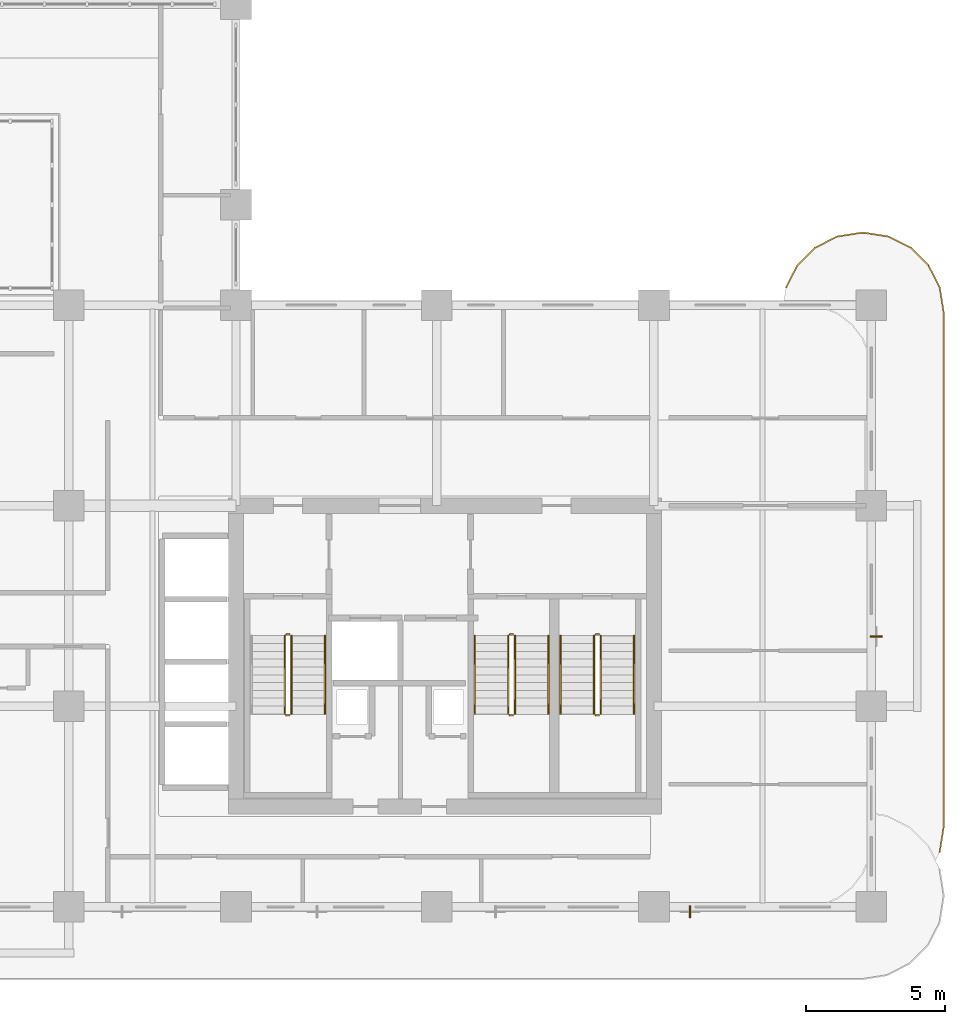
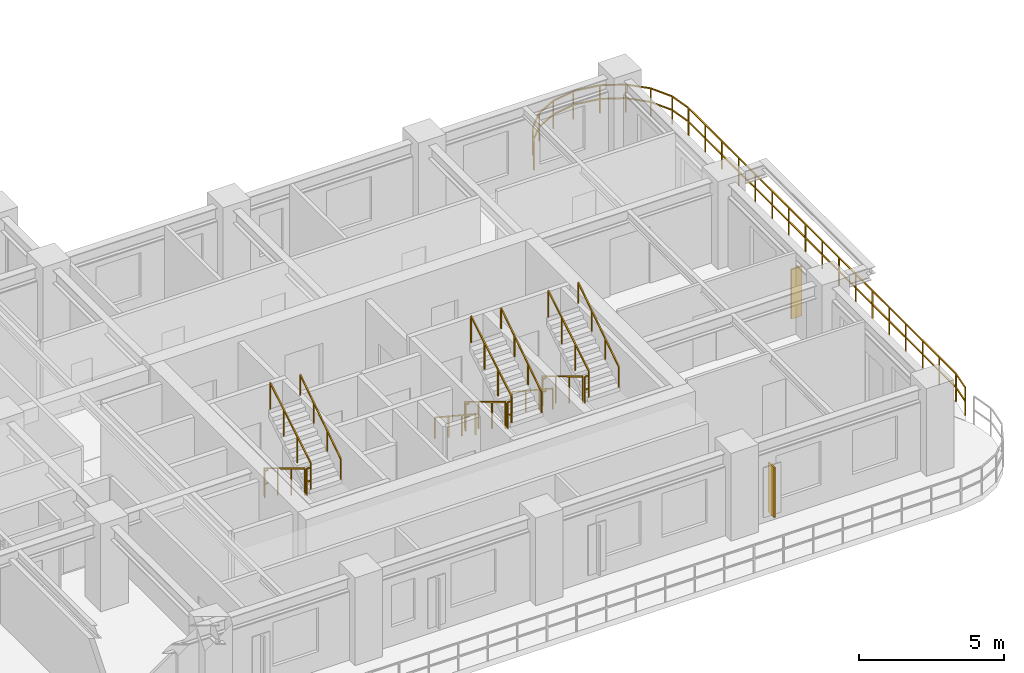
# One storey, part 21 of 22: 18 railings, 2 shading devices.
"""IFC4 building model written with IfcOpenShell, lengths in metres."""

from ifc_helpers import new_model, si_unit, derived_unit, direction, frame, origin, origin_2d, place, context, subcontext, project, spatial, rectangle, extrude, source, transform, mapped, material, layer, layer_set, type_object, type_shapes, element, save


model = new_model("IFC4")

# Units and contexts
model_context = context("Model", 3, precision=1e-05, world=origin(), true_north=direction((0.0, 1.0)))
body_context = subcontext(model_context, "Body", "Model", "MODEL_VIEW")
ifc_project = project(units=[si_unit("LENGTHUNIT", "METRE"), si_unit("AREAUNIT", "SQUARE_METRE"), si_unit("VOLUMEUNIT", "CUBIC_METRE"), si_unit("PLANEANGLEUNIT", "RADIAN"), si_unit("MASSUNIT", "GRAM", prefix="KILO"), si_unit("THERMODYNAMICTEMPERATUREUNIT", "KELVIN"), si_unit("POWERUNIT", "WATT"), derived_unit("THERMALTRANSMITTANCEUNIT", [(si_unit("POWERUNIT", "WATT"), 1), (si_unit("AREAUNIT", "SQUARE_METRE"), -1), (si_unit("THERMODYNAMICTEMPERATUREUNIT", "KELVIN"), -1)])], contexts=[model_context])

# Site, building, storey
site_placement = place(None, origin())
site = spatial("IfcSite", under=ifc_project, at=site_placement, CompositionType="ELEMENT")
building_placement = place(site_placement, origin())
building = spatial("IfcBuilding", under=site, at=building_placement, Name="Zahravan Archway Hotel and Residences", CompositionType="ELEMENT")
storey_placement = place(building_placement, frame((0.0, 0.0, 76.800048828125)))
storey = spatial("IfcBuildingStorey", under=building, at=storey_placement, Name="L18", CompositionType="ELEMENT", Elevation=76.800048828125)

# Railings
ifc_material_1 = material(Name="Bronze & Laminated Glass Balustrade", Category="glass")
railing_type_1 = type_object("IfcRailingType", Name="RL-BAL-1200", PredefinedType="BALUSTRADE", material=ifc_material_1)
railing_1_placement = place(storey_placement, frame((54.53955078125, 22.230712890625, 0.0)))
element("IfcRailing", 1, at=railing_1_placement, inside=storey, type_object=railing_type_1, Name="L18 Balustrade RL-SLB-BAL-L18-EA-1", PredefinedType="BALUSTRADE", context=body_context, shape_type="SweptSolid", body=[
    extrude(rectangle(XDim=0.048095703125, YDim=0.048095703125, at=origin_2d()), frame((0.0, 0.0, 1.17578125), z_axis=(0.453991409995, 0.891006060389, 0.0), x_axis=(-0.891006060389, 0.453991409995, 0.0)), (0.0, 0.0, 1.0), 0.8916015625),
    extrude(rectangle(XDim=0.048095703125, YDim=0.048095703125, at=origin_2d()), frame((0.0, 0.0, 0.60009765625), z_axis=(0.453991409995, 0.891006060389, 0.0), x_axis=(-0.891006060389, 0.453991409995, 0.0)), (0.0, 0.0, 1.0), 0.8916015625),
    extrude(rectangle(XDim=0.048095703125, YDim=0.048095703125, at=origin_2d()), frame((0.40478515625, 0.79443359375, 1.17578125), z_axis=(0.706969864397, 0.70724367147, 0.0), x_axis=(-0.70724367147, 0.706969864397, 0.0)), (0.0, 0.0, 1.0), 0.8916015625),
    extrude(rectangle(XDim=0.048095703125, YDim=0.048095703125, at=origin_2d()), frame((0.40478515625, 0.79443359375, 0.60009765625), z_axis=(0.706969864397, 0.70724367147, 0.0), x_axis=(-0.70724367147, 0.706969864397, 0.0)), (0.0, 0.0, 1.0), 0.8916015625),
    extrude(rectangle(XDim=0.048095703125, YDim=0.048095703125, at=origin_2d()), frame((1.03515625, 1.425048828125, 1.17578125), z_axis=(0.891062476022, 0.45388067135, 0.0), x_axis=(-0.45388067135, 0.891062476022, 0.0)), (0.0, 0.0, 1.0), 0.891845703125),
    extrude(rectangle(XDim=0.048095703125, YDim=0.048095703125, at=origin_2d()), frame((1.03515625, 1.425048828125, 0.60009765625), z_axis=(0.891062476022, 0.45388067135, 0.0), x_axis=(-0.45388067135, 0.891062476022, 0.0)), (0.0, 0.0, 1.0), 0.891845703125),
    extrude(rectangle(XDim=0.048095703125, YDim=0.048095703125, at=origin_2d()), frame((1.829833984375, 1.829833984375, 1.17578125), z_axis=(0.987700720307, 0.156356282588, 0.0), x_axis=(-0.156356282588, 0.987700720307, 0.0)), (0.0, 0.0, 1.0), 0.8916015625),
    extrude(rectangle(XDim=0.048095703125, YDim=0.048095703125, at=origin_2d()), frame((1.829833984375, 1.829833984375, 0.60009765625), z_axis=(0.987700720307, 0.156356282588, 0.0), x_axis=(-0.156356282588, 0.987700720307, 0.0)), (0.0, 0.0, 1.0), 0.8916015625),
    extrude(rectangle(XDim=0.048095703125, YDim=0.048095703125, at=origin_2d()), frame((2.71044921875, 1.96923828125, 1.17578125), z_axis=(1.0, 0.0, 0.0), x_axis=(0.0, 1.0, 0.0)), (0.0, 0.0, 1.0), 0.10009765625),
    extrude(rectangle(XDim=0.048095703125, YDim=0.048095703125, at=origin_2d()), frame((2.71044921875, 1.96923828125, 0.60009765625), z_axis=(1.0, 0.0, 0.0), x_axis=(0.0, 1.0, 0.0)), (0.0, 0.0, 1.0), 0.10009765625),
    extrude(rectangle(XDim=0.048095703125, YDim=0.048095703125, at=origin_2d()), frame((2.810546875, 1.96923828125, 1.17578125), z_axis=(0.987700720307, -0.156356282588, 0.0), x_axis=(0.156356282588, 0.987700720307, 0.0)), (0.0, 0.0, 1.0), 0.8916015625),
    extrude(rectangle(XDim=0.048095703125, YDim=0.048095703125, at=origin_2d()), frame((2.810546875, 1.96923828125, 0.60009765625), z_axis=(0.987700720307, -0.156356282588, 0.0), x_axis=(0.156356282588, 0.987700720307, 0.0)), (0.0, 0.0, 1.0), 0.8916015625),
    extrude(rectangle(XDim=0.048095703125, YDim=0.048095703125, at=origin_2d()), frame((3.691162109375, 1.829833984375, 1.17578125), z_axis=(0.891006060389, -0.453991409995, 0.0), x_axis=(0.453991409995, 0.891006060389, 0.0)), (0.0, 0.0, 1.0), 0.8916015625),
    extrude(rectangle(XDim=0.048095703125, YDim=0.048095703125, at=origin_2d()), frame((3.691162109375, 1.829833984375, 0.60009765625), z_axis=(0.891006060389, -0.453991409995, 0.0), x_axis=(0.453991409995, 0.891006060389, 0.0)), (0.0, 0.0, 1.0), 0.8916015625),
    extrude(rectangle(XDim=0.048095703125, YDim=0.048095703125, at=origin_2d()), frame((4.485595703125, 1.425048828125, 1.17578125), z_axis=(0.707106781187, -0.707106781187, 0.0), x_axis=(0.707106781187, 0.707106781187, 0.0)), (0.0, 0.0, 1.0), 0.891845703125),
    extrude(rectangle(XDim=0.048095703125, YDim=0.048095703125, at=origin_2d()), frame((4.485595703125, 1.425048828125, 0.60009765625), z_axis=(0.707106781187, -0.707106781187, 0.0), x_axis=(0.707106781187, 0.707106781187, 0.0)), (0.0, 0.0, 1.0), 0.891845703125),
    extrude(rectangle(XDim=0.048095703125, YDim=0.048095703125, at=origin_2d()), frame((5.1162109375, 0.79443359375, 1.17578125), z_axis=(0.453991409995, -0.891006060389, 0.0), x_axis=(0.891006060389, 0.453991409995, 0.0)), (0.0, 0.0, 1.0), 0.8916015625),
    extrude(rectangle(XDim=0.048095703125, YDim=0.048095703125, at=origin_2d()), frame((5.1162109375, 0.79443359375, 0.60009765625), z_axis=(0.453991409995, -0.891006060389, 0.0), x_axis=(0.891006060389, 0.453991409995, 0.0)), (0.0, 0.0, 1.0), 0.8916015625),
    extrude(rectangle(XDim=0.048095703125, YDim=0.048095703125, at=origin_2d()), frame((5.52099609375, 0.0, 1.17578125), z_axis=(0.156356282588, -0.987700720307, 0.0), x_axis=(0.987700720307, 0.156356282588, 0.0)), (0.0, 0.0, 1.0), 0.8916015625),
    extrude(rectangle(XDim=0.048095703125, YDim=0.048095703125, at=origin_2d()), frame((5.52099609375, 0.0, 0.60009765625), z_axis=(0.156356282588, -0.987700720307, 0.0), x_axis=(0.987700720307, 0.156356282588, 0.0)), (0.0, 0.0, 1.0), 0.8916015625),
    extrude(rectangle(XDim=0.048095703125, YDim=0.048095703125, at=origin_2d()), frame((5.660400390625, -0.880615234375, 1.17578125), z_axis=(0.0, -1.0, 0.0), x_axis=(1.0, 0.0, 0.0)), (0.0, 0.0, 1.0), 18.5),
    extrude(rectangle(XDim=0.048095703125, YDim=0.048095703125, at=origin_2d()), frame((5.660400390625, -0.880615234375, 0.60009765625), z_axis=(0.0, -1.0, 0.0), x_axis=(1.0, 0.0, 0.0)), (0.0, 0.0, 1.0), 18.5),
    extrude(rectangle(XDim=0.048095703125, YDim=0.048095703125, at=origin_2d()), frame((5.660400390625, -19.380615234375, 1.17578125), z_axis=(-0.156314005608, -0.987707411965, 0.0), x_axis=(0.987707411965, -0.156314005608, 0.0)), (0.0, 0.0, 1.0), 0.891845703125),
    extrude(rectangle(XDim=0.048095703125, YDim=0.048095703125, at=origin_2d()), frame((5.660400390625, -19.380615234375, 0.60009765625), z_axis=(-0.156314005608, -0.987707411965, 0.0), x_axis=(0.987707411965, -0.156314005608, 0.0)), (0.0, 0.0, 1.0), 0.891845703125),
    extrude(rectangle(XDim=0.0419921875, YDim=0.0419921875, at=origin_2d()), origin(), (0.0, 0.0, 1.0), 1.15185546875),
    extrude(rectangle(XDim=0.0419921875, YDim=0.0419921875, at=origin_2d()), frame((0.40478515625, 0.79443359375, 0.0)), (0.0, 0.0, 1.0), 1.15185546875),
    extrude(rectangle(XDim=0.0419921875, YDim=0.0419921875, at=origin_2d()), frame((1.03515625, 1.425048828125, 0.0)), (0.0, 0.0, 1.0), 1.15185546875),
    extrude(rectangle(XDim=0.0419921875, YDim=0.0419921875, at=origin_2d()), frame((1.829833984375, 1.829833984375, 0.0)), (0.0, 0.0, 1.0), 1.15185546875),
    extrude(rectangle(XDim=0.0419921875, YDim=0.0419921875, at=origin_2d()), frame((2.71044921875, 1.96923828125, 0.0)), (0.0, 0.0, 1.0), 1.15185546875),
    extrude(rectangle(XDim=0.0419921875, YDim=0.0419921875, at=origin_2d()), frame((3.691162109375, 1.829833984375, 0.0)), (0.0, 0.0, 1.0), 1.15185546875),
    extrude(rectangle(XDim=0.0419921875, YDim=0.0419921875, at=origin_2d()), frame((4.485595703125, 1.425048828125, 0.0)), (0.0, 0.0, 1.0), 1.15185546875),
    extrude(rectangle(XDim=0.0419921875, YDim=0.0419921875, at=origin_2d()), frame((5.1162109375, 0.79443359375, 0.0)), (0.0, 0.0, 1.0), 1.15185546875),
    extrude(rectangle(XDim=0.0419921875, YDim=0.0419921875, at=origin_2d()), frame((5.52099609375, 0.0, 0.0)), (0.0, 0.0, 1.0), 1.15185546875),
    extrude(rectangle(XDim=0.0419921875, YDim=0.0419921875, at=origin_2d()), frame((5.660400390625, -0.880615234375, 0.0)), (0.0, 0.0, 1.0), 1.15185546875),
    extrude(rectangle(XDim=0.0419921875, YDim=0.0419921875, at=origin_2d()), frame((5.660400390625, -2.036865234375, 0.0)), (0.0, 0.0, 1.0), 1.15185546875),
    extrude(rectangle(XDim=0.0419921875, YDim=0.0419921875, at=origin_2d()), frame((5.660400390625, -3.193115234375, 0.0)), (0.0, 0.0, 1.0), 1.15185546875),
    extrude(rectangle(XDim=0.0419921875, YDim=0.0419921875, at=origin_2d()), frame((5.660400390625, -4.349365234375, 0.0)), (0.0, 0.0, 1.0), 1.15185546875),
    extrude(rectangle(XDim=0.0419921875, YDim=0.0419921875, at=origin_2d()), frame((5.660400390625, -5.505615234375, 0.0)), (0.0, 0.0, 1.0), 1.15185546875),
    extrude(rectangle(XDim=0.0419921875, YDim=0.0419921875, at=origin_2d()), frame((5.660400390625, -6.661865234375, 0.0)), (0.0, 0.0, 1.0), 1.15185546875),
    extrude(rectangle(XDim=0.0419921875, YDim=0.0419921875, at=origin_2d()), frame((5.660400390625, -7.818115234375, 0.0)), (0.0, 0.0, 1.0), 1.15185546875),
    extrude(rectangle(XDim=0.0419921875, YDim=0.0419921875, at=origin_2d()), frame((5.660400390625, -8.974365234375, 0.0)), (0.0, 0.0, 1.0), 1.15185546875),
    extrude(rectangle(XDim=0.0419921875, YDim=0.0419921875, at=origin_2d()), frame((5.660400390625, -10.130615234375, 0.0)), (0.0, 0.0, 1.0), 1.15185546875),
    extrude(rectangle(XDim=0.0419921875, YDim=0.0419921875, at=origin_2d()), frame((5.660400390625, -11.286865234375, 0.0)), (0.0, 0.0, 1.0), 1.15185546875),
    extrude(rectangle(XDim=0.0419921875, YDim=0.0419921875, at=origin_2d()), frame((5.660400390625, -12.443115234375, 0.0)), (0.0, 0.0, 1.0), 1.15185546875),
    extrude(rectangle(XDim=0.0419921875, YDim=0.0419921875, at=origin_2d()), frame((5.660400390625, -13.599365234375, 0.0)), (0.0, 0.0, 1.0), 1.15185546875),
    extrude(rectangle(XDim=0.0419921875, YDim=0.0419921875, at=origin_2d()), frame((5.660400390625, -14.755615234375, 0.0)), (0.0, 0.0, 1.0), 1.15185546875),
    extrude(rectangle(XDim=0.0419921875, YDim=0.0419921875, at=origin_2d()), frame((5.660400390625, -15.911865234375, 0.0)), (0.0, 0.0, 1.0), 1.15185546875),
    extrude(rectangle(XDim=0.0419921875, YDim=0.0419921875, at=origin_2d()), frame((5.660400390625, -17.068115234375, 0.0)), (0.0, 0.0, 1.0), 1.15185546875),
    extrude(rectangle(XDim=0.0419921875, YDim=0.0419921875, at=origin_2d()), frame((5.660400390625, -18.224365234375, 0.0)), (0.0, 0.0, 1.0), 1.15185546875),
    extrude(rectangle(XDim=0.0419921875, YDim=0.0419921875, at=origin_2d()), frame((5.660400390625, -19.380615234375, 0.0)), (0.0, 0.0, 1.0), 1.15185546875),
    extrude(rectangle(XDim=0.0419921875, YDim=0.0419921875, at=origin_2d()), frame((5.52099609375, -20.261474609375, 0.0)), (0.0, 0.0, 1.0), 1.15185546875),
])
ifc_material_2 = material(Name="Painted Tubular Steel", Category="steel")
railing_type_2 = type_object("IfcRailingType", Name="RL-STG-1150", PredefinedType="GUARDRAIL", material=ifc_material_2)
railing_2_placement = place(storey_placement, frame((36.550048828125, 9.72998046875, 0.168212890625)))
element("IfcRailing", 2, at=railing_2_placement, inside=storey, type_object=railing_type_2, Name="L18 ST-A1 stair guard 1", PredefinedType="GUARDRAIL", context=body_context, shape_type="SweptSolid", body=[
    extrude(rectangle(XDim=0.048095703125, YDim=0.048095703125, at=origin_2d()), frame((0.0, 0.0, 1.1259765625), z_axis=(0.0, -0.857275202839, 0.514858452973), x_axis=(1.0, 0.0, 0.0)), (0.0, 0.0, 1.0), 3.26611328125),
    extrude(rectangle(XDim=0.0419921875, YDim=0.0419921875, at=origin_2d()), origin(), (0.0, 0.0, 1.0), 1.101806640625),
    extrude(rectangle(XDim=0.0419921875, YDim=0.0419921875, at=origin_2d()), frame((0.0, -0.933349609375, 0.560546875)), (0.0, 0.0, 1.0), 1.101806640625),
    extrude(rectangle(XDim=0.0419921875, YDim=0.0419921875, at=origin_2d()), frame((0.0, -1.86669921875, 1.12109375)), (0.0, 0.0, 1.0), 1.101806640625),
    extrude(rectangle(XDim=0.0419921875, YDim=0.0419921875, at=origin_2d()), frame((0.0, -2.800048828125, 1.681640625)), (0.0, 0.0, 1.0), 1.101806640625),
])
railing_3_placement = place(storey_placement, frame((36.60009765625, 6.8798828125, 1.849853515625)))
element("IfcRailing", 3, at=railing_3_placement, inside=storey, type_object=railing_type_2, Name="L18 ST-A1 stair guard 2", PredefinedType="GUARDRAIL", context=body_context, shape_type="SweptSolid", body=[
    extrude(rectangle(XDim=0.048095703125, YDim=0.048095703125, at=origin_2d()), frame((0.0, 0.0, 1.1259765625), z_axis=(1.0, 0.0, 0.0), x_axis=(0.0, 1.0, 0.0)), (0.0, 0.0, 1.0), 0.139892578125),
    extrude(rectangle(XDim=0.048095703125, YDim=0.048095703125, at=origin_2d()), frame((0.0, 0.0, 0.574951171875), z_axis=(1.0, 0.0, 0.0), x_axis=(0.0, 1.0, 0.0)), (0.0, 0.0, 1.0), 0.139892578125),
    extrude(rectangle(XDim=0.0419921875, YDim=0.0419921875, at=origin_2d()), origin(), (0.0, 0.0, 1.0), 1.101806640625),
])
railing_4_placement = place(storey_placement, frame((36.7900390625, 6.929931640625, 2.01806640625)))
element("IfcRailing", 4, at=railing_4_placement, inside=storey, type_object=railing_type_2, Name="L18 ST-A1 stair guard 3", PredefinedType="GUARDRAIL", context=body_context, shape_type="SweptSolid", body=[
    extrude(rectangle(XDim=0.048095703125, YDim=0.048095703125, at=origin_2d()), frame((0.0, 0.0, 1.1259765625), z_axis=(0.0, 0.857242210791, 0.514913383045), x_axis=(-1.0, 0.0, 0.0)), (0.0, 0.0, 1.0), 3.266357421875),
    extrude(rectangle(XDim=0.0419921875, YDim=0.0419921875, at=origin_2d()), origin(), (0.0, 0.0, 1.0), 1.101806640625),
    extrude(rectangle(XDim=0.0419921875, YDim=0.0419921875, at=origin_2d()), frame((0.0, 0.933349609375, 0.560546875)), (0.0, 0.0, 1.0), 1.101806640625),
    extrude(rectangle(XDim=0.0419921875, YDim=0.0419921875, at=origin_2d()), frame((0.0, 1.86669921875, 1.121337890625)), (0.0, 0.0, 1.0), 1.101806640625),
    extrude(rectangle(XDim=0.0419921875, YDim=0.0419921875, at=origin_2d()), frame((0.0, 2.800048828125, 1.681884765625)), (0.0, 0.0, 1.0), 1.101806640625),
])
railing_5_placement = place(storey_placement, frame((36.60009765625, 9.780029296875, 0.0)))
element("IfcRailing", 5, at=railing_5_placement, inside=storey, type_object=railing_type_2, Name="L18 ST-A1 stair guard 4", PredefinedType="GUARDRAIL", context=body_context, shape_type="SweptSolid", body=[
    extrude(rectangle(XDim=0.048095703125, YDim=0.048095703125, at=origin_2d()), frame((0.0, 0.0, 1.1259765625), z_axis=(1.0, 0.0, 0.0), x_axis=(0.0, 1.0, 0.0)), (0.0, 0.0, 1.0), 0.139892578125),
    extrude(rectangle(XDim=0.048095703125, YDim=0.048095703125, at=origin_2d()), frame((0.0, 0.0, 0.574951171875), z_axis=(1.0, 0.0, 0.0), x_axis=(0.0, 1.0, 0.0)), (0.0, 0.0, 1.0), 0.139892578125),
    extrude(rectangle(XDim=0.0419921875, YDim=0.0419921875, at=origin_2d()), origin(), (0.0, 0.0, 1.0), 1.101806640625),
])
railing_6_placement = place(storey_placement, frame((44.570068359375, 9.72998046875, 0.168212890625)))
element("IfcRailing", 6, at=railing_6_placement, inside=storey, type_object=railing_type_2, Name="L18 ST-A2 stair guard 1", PredefinedType="GUARDRAIL", context=body_context, shape_type="SweptSolid", body=[
    extrude(rectangle(XDim=0.048095703125, YDim=0.048095703125, at=origin_2d()), frame((0.0, 0.0, 1.1259765625), z_axis=(0.0, -0.857275202839, 0.514858452973), x_axis=(1.0, 0.0, 0.0)), (0.0, 0.0, 1.0), 3.26611328125),
    extrude(rectangle(XDim=0.0419921875, YDim=0.0419921875, at=origin_2d()), origin(), (0.0, 0.0, 1.0), 1.101806640625),
    extrude(rectangle(XDim=0.0419921875, YDim=0.0419921875, at=origin_2d()), frame((0.0, -0.933349609375, 0.560546875)), (0.0, 0.0, 1.0), 1.101806640625),
    extrude(rectangle(XDim=0.0419921875, YDim=0.0419921875, at=origin_2d()), frame((0.0, -1.86669921875, 1.12109375)), (0.0, 0.0, 1.0), 1.101806640625),
    extrude(rectangle(XDim=0.0419921875, YDim=0.0419921875, at=origin_2d()), frame((0.0, -2.800048828125, 1.681640625)), (0.0, 0.0, 1.0), 1.101806640625),
])
railing_7_placement = place(storey_placement, frame((44.6201171875, 6.8798828125, 1.849853515625)))
element("IfcRailing", 7, at=railing_7_placement, inside=storey, type_object=railing_type_2, Name="L18 ST-A2 stair guard 2", PredefinedType="GUARDRAIL", context=body_context, shape_type="SweptSolid", body=[
    extrude(rectangle(XDim=0.048095703125, YDim=0.048095703125, at=origin_2d()), frame((0.0, 0.0, 1.1259765625), z_axis=(1.0, 0.0, 0.0), x_axis=(0.0, 1.0, 0.0)), (0.0, 0.0, 1.0), 0.139892578125),
    extrude(rectangle(XDim=0.048095703125, YDim=0.048095703125, at=origin_2d()), frame((0.0, 0.0, 0.574951171875), z_axis=(1.0, 0.0, 0.0), x_axis=(0.0, 1.0, 0.0)), (0.0, 0.0, 1.0), 0.139892578125),
    extrude(rectangle(XDim=0.0419921875, YDim=0.0419921875, at=origin_2d()), origin(), (0.0, 0.0, 1.0), 1.101806640625),
])
railing_8_placement = place(storey_placement, frame((44.81005859375, 6.929931640625, 2.01806640625)))
element("IfcRailing", 8, at=railing_8_placement, inside=storey, type_object=railing_type_2, Name="L18 ST-A2 stair guard 3", PredefinedType="GUARDRAIL", context=body_context, shape_type="SweptSolid", body=[
    extrude(rectangle(XDim=0.048095703125, YDim=0.048095703125, at=origin_2d()), frame((0.0, 0.0, 1.1259765625), z_axis=(0.0, 0.857242210791, 0.514913383045), x_axis=(-1.0, 0.0, 0.0)), (0.0, 0.0, 1.0), 3.266357421875),
    extrude(rectangle(XDim=0.0419921875, YDim=0.0419921875, at=origin_2d()), origin(), (0.0, 0.0, 1.0), 1.101806640625),
    extrude(rectangle(XDim=0.0419921875, YDim=0.0419921875, at=origin_2d()), frame((0.0, 0.933349609375, 0.560546875)), (0.0, 0.0, 1.0), 1.101806640625),
    extrude(rectangle(XDim=0.0419921875, YDim=0.0419921875, at=origin_2d()), frame((0.0, 1.86669921875, 1.121337890625)), (0.0, 0.0, 1.0), 1.101806640625),
    extrude(rectangle(XDim=0.0419921875, YDim=0.0419921875, at=origin_2d()), frame((0.0, 2.800048828125, 1.681884765625)), (0.0, 0.0, 1.0), 1.101806640625),
])
railing_9_placement = place(storey_placement, frame((44.6201171875, 9.780029296875, 0.0)))
element("IfcRailing", 9, at=railing_9_placement, inside=storey, type_object=railing_type_2, Name="L18 ST-A2 stair guard 4", PredefinedType="GUARDRAIL", context=body_context, shape_type="SweptSolid", body=[
    extrude(rectangle(XDim=0.048095703125, YDim=0.048095703125, at=origin_2d()), frame((0.0, 0.0, 1.1259765625), z_axis=(1.0, 0.0, 0.0), x_axis=(0.0, 1.0, 0.0)), (0.0, 0.0, 1.0), 0.139892578125),
    extrude(rectangle(XDim=0.048095703125, YDim=0.048095703125, at=origin_2d()), frame((0.0, 0.0, 0.574951171875), z_axis=(1.0, 0.0, 0.0), x_axis=(0.0, 1.0, 0.0)), (0.0, 0.0, 1.0), 0.139892578125),
    extrude(rectangle(XDim=0.0419921875, YDim=0.0419921875, at=origin_2d()), origin(), (0.0, 0.0, 1.0), 1.101806640625),
])
railing_10_placement = place(storey_placement, frame((47.64990234375, 9.72998046875, 0.168212890625)))
element("IfcRailing", 10, at=railing_10_placement, inside=storey, type_object=railing_type_2, Name="L18 ST-A3 stair guard 1", PredefinedType="GUARDRAIL", context=body_context, shape_type="SweptSolid", body=[
    extrude(rectangle(XDim=0.048095703125, YDim=0.048095703125, at=origin_2d()), frame((0.0, 0.0, 1.1259765625), z_axis=(0.0, -0.857275202839, 0.514858452973), x_axis=(1.0, 0.0, 0.0)), (0.0, 0.0, 1.0), 3.26611328125),
    extrude(rectangle(XDim=0.0419921875, YDim=0.0419921875, at=origin_2d()), origin(), (0.0, 0.0, 1.0), 1.101806640625),
    extrude(rectangle(XDim=0.0419921875, YDim=0.0419921875, at=origin_2d()), frame((0.0, -0.933349609375, 0.560546875)), (0.0, 0.0, 1.0), 1.101806640625),
    extrude(rectangle(XDim=0.0419921875, YDim=0.0419921875, at=origin_2d()), frame((0.0, -1.86669921875, 1.12109375)), (0.0, 0.0, 1.0), 1.101806640625),
    extrude(rectangle(XDim=0.0419921875, YDim=0.0419921875, at=origin_2d()), frame((0.0, -2.800048828125, 1.681640625)), (0.0, 0.0, 1.0), 1.101806640625),
])
railing_11_placement = place(storey_placement, frame((47.699951171875, 6.8798828125, 1.849853515625)))
element("IfcRailing", 11, at=railing_11_placement, inside=storey, type_object=railing_type_2, Name="L18 ST-A3 stair guard 2", PredefinedType="GUARDRAIL", context=body_context, shape_type="SweptSolid", body=[
    extrude(rectangle(XDim=0.048095703125, YDim=0.048095703125, at=origin_2d()), frame((0.0, 0.0, 1.1259765625), z_axis=(1.0, 0.0, 0.0), x_axis=(0.0, 1.0, 0.0)), (0.0, 0.0, 1.0), 0.14013671875),
    extrude(rectangle(XDim=0.048095703125, YDim=0.048095703125, at=origin_2d()), frame((0.0, 0.0, 0.574951171875), z_axis=(1.0, 0.0, 0.0), x_axis=(0.0, 1.0, 0.0)), (0.0, 0.0, 1.0), 0.14013671875),
    extrude(rectangle(XDim=0.0419921875, YDim=0.0419921875, at=origin_2d()), origin(), (0.0, 0.0, 1.0), 1.101806640625),
])
railing_12_placement = place(storey_placement, frame((47.889892578125, 6.929931640625, 2.01806640625)))
element("IfcRailing", 12, at=railing_12_placement, inside=storey, type_object=railing_type_2, Name="L18 ST-A3 stair guard 3", PredefinedType="GUARDRAIL", context=body_context, shape_type="SweptSolid", body=[
    extrude(rectangle(XDim=0.048095703125, YDim=0.048095703125, at=origin_2d()), frame((0.0, 0.0, 1.1259765625), z_axis=(0.0, 0.857242210791, 0.514913383045), x_axis=(-1.0, 0.0, 0.0)), (0.0, 0.0, 1.0), 3.266357421875),
    extrude(rectangle(XDim=0.0419921875, YDim=0.0419921875, at=origin_2d()), origin(), (0.0, 0.0, 1.0), 1.101806640625),
    extrude(rectangle(XDim=0.0419921875, YDim=0.0419921875, at=origin_2d()), frame((0.0, 0.933349609375, 0.560546875)), (0.0, 0.0, 1.0), 1.101806640625),
    extrude(rectangle(XDim=0.0419921875, YDim=0.0419921875, at=origin_2d()), frame((0.0, 1.86669921875, 1.121337890625)), (0.0, 0.0, 1.0), 1.101806640625),
    extrude(rectangle(XDim=0.0419921875, YDim=0.0419921875, at=origin_2d()), frame((0.0, 2.800048828125, 1.681884765625)), (0.0, 0.0, 1.0), 1.101806640625),
])
railing_13_placement = place(storey_placement, frame((47.699951171875, 9.780029296875, 0.0)))
element("IfcRailing", 13, at=railing_13_placement, inside=storey, type_object=railing_type_2, Name="L18 ST-A3 stair guard 4", PredefinedType="GUARDRAIL", context=body_context, shape_type="SweptSolid", body=[
    extrude(rectangle(XDim=0.048095703125, YDim=0.048095703125, at=origin_2d()), frame((0.0, 0.0, 1.1259765625), z_axis=(1.0, 0.0, 0.0), x_axis=(0.0, 1.0, 0.0)), (0.0, 0.0, 1.0), 0.14013671875),
    extrude(rectangle(XDim=0.048095703125, YDim=0.048095703125, at=origin_2d()), frame((0.0, 0.0, 0.574951171875), z_axis=(1.0, 0.0, 0.0), x_axis=(0.0, 1.0, 0.0)), (0.0, 0.0, 1.0), 0.14013671875),
    extrude(rectangle(XDim=0.0419921875, YDim=0.0419921875, at=origin_2d()), origin(), (0.0, 0.0, 1.0), 1.101806640625),
])
ifc_material_3 = material(Name="Brushed Stainless Steel", Category="steel")
railing_type_3 = type_object("IfcRailingType", Name="RL-STH-900", PredefinedType="HANDRAIL", material=ifc_material_3)
railing_14_placement = place(storey_placement, frame((37.989990234375, 6.929931640625, 2.01806640625)))
element("IfcRailing", 14, at=railing_14_placement, inside=storey, type_object=railing_type_3, Name="L18 ST-A1 stair handrail 2", PredefinedType="HANDRAIL", context=body_context, shape_type="SweptSolid", body=[
    extrude(rectangle(XDim=0.048095703125, YDim=0.048095703125, at=origin_2d()), frame((0.0, 0.0, 0.8759765625), z_axis=(0.0, 0.834326358476, 0.551270829586), x_axis=(-1.0, 0.0, 0.0)), (0.0, 0.0, 1.0), 3.35595703125),
    extrude(rectangle(XDim=0.0419921875, YDim=0.0419921875, at=origin_2d()), origin(), (0.0, 0.0, 1.0), 0.851806640625),
    extrude(rectangle(XDim=0.0419921875, YDim=0.0419921875, at=origin_2d()), frame((0.0, 0.933349609375, 0.61669921875)), (0.0, 0.0, 1.0), 0.851806640625),
    extrude(rectangle(XDim=0.0419921875, YDim=0.0419921875, at=origin_2d()), frame((0.0, 1.86669921875, 1.2333984375)), (0.0, 0.0, 1.0), 0.851806640625),
    extrude(rectangle(XDim=0.0419921875, YDim=0.0419921875, at=origin_2d()), frame((0.0, 2.800048828125, 1.85009765625)), (0.0, 0.0, 1.0), 0.851806640625),
])
railing_15_placement = place(storey_placement, frame((43.3701171875, 9.72998046875, 0.168212890625)))
element("IfcRailing", 15, at=railing_15_placement, inside=storey, type_object=railing_type_3, Name="L18 ST-A2 stair handrail 1", PredefinedType="HANDRAIL", context=body_context, shape_type="SweptSolid", body=[
    extrude(rectangle(XDim=0.048095703125, YDim=0.048095703125, at=origin_2d()), frame((0.0, 0.0, 0.8759765625), z_axis=(0.0, -0.83435981716, 0.551220187865), x_axis=(1.0, 0.0, 0.0)), (0.0, 0.0, 1.0), 3.35595703125),
    extrude(rectangle(XDim=0.0419921875, YDim=0.0419921875, at=origin_2d()), origin(), (0.0, 0.0, 1.0), 0.851806640625),
    extrude(rectangle(XDim=0.0419921875, YDim=0.0419921875, at=origin_2d()), frame((0.0, -0.933349609375, 0.61669921875)), (0.0, 0.0, 1.0), 0.851806640625),
    extrude(rectangle(XDim=0.0419921875, YDim=0.0419921875, at=origin_2d()), frame((0.0, -1.86669921875, 1.233154296875)), (0.0, 0.0, 1.0), 0.851806640625),
    extrude(rectangle(XDim=0.0419921875, YDim=0.0419921875, at=origin_2d()), frame((0.0, -2.800048828125, 1.849853515625)), (0.0, 0.0, 1.0), 0.851806640625),
])
railing_16_placement = place(storey_placement, frame((46.010009765625, 6.929931640625, 2.01806640625)))
element("IfcRailing", 16, at=railing_16_placement, inside=storey, type_object=railing_type_3, Name="L18 ST-A2 stair handrail 2", PredefinedType="HANDRAIL", context=body_context, shape_type="SweptSolid", body=[
    extrude(rectangle(XDim=0.048095703125, YDim=0.048095703125, at=origin_2d()), frame((0.0, 0.0, 0.8759765625), z_axis=(0.0, 0.834326358476, 0.551270829586), x_axis=(-1.0, 0.0, 0.0)), (0.0, 0.0, 1.0), 3.35595703125),
    extrude(rectangle(XDim=0.0419921875, YDim=0.0419921875, at=origin_2d()), origin(), (0.0, 0.0, 1.0), 0.851806640625),
    extrude(rectangle(XDim=0.0419921875, YDim=0.0419921875, at=origin_2d()), frame((0.0, 0.933349609375, 0.61669921875)), (0.0, 0.0, 1.0), 0.851806640625),
    extrude(rectangle(XDim=0.0419921875, YDim=0.0419921875, at=origin_2d()), frame((0.0, 1.86669921875, 1.2333984375)), (0.0, 0.0, 1.0), 0.851806640625),
    extrude(rectangle(XDim=0.0419921875, YDim=0.0419921875, at=origin_2d()), frame((0.0, 2.800048828125, 1.85009765625)), (0.0, 0.0, 1.0), 0.851806640625),
])
railing_17_placement = place(storey_placement, frame((46.449951171875, 9.72998046875, 0.168212890625)))
element("IfcRailing", 17, at=railing_17_placement, inside=storey, type_object=railing_type_3, Name="L18 ST-A3 stair handrail 1", PredefinedType="HANDRAIL", context=body_context, shape_type="SweptSolid", body=[
    extrude(rectangle(XDim=0.048095703125, YDim=0.048095703125, at=origin_2d()), frame((0.0, 0.0, 0.8759765625), z_axis=(0.0, -0.83435981716, 0.551220187865), x_axis=(1.0, 0.0, 0.0)), (0.0, 0.0, 1.0), 3.35595703125),
    extrude(rectangle(XDim=0.0419921875, YDim=0.0419921875, at=origin_2d()), origin(), (0.0, 0.0, 1.0), 0.851806640625),
    extrude(rectangle(XDim=0.0419921875, YDim=0.0419921875, at=origin_2d()), frame((0.0, -0.933349609375, 0.61669921875)), (0.0, 0.0, 1.0), 0.851806640625),
    extrude(rectangle(XDim=0.0419921875, YDim=0.0419921875, at=origin_2d()), frame((0.0, -1.86669921875, 1.233154296875)), (0.0, 0.0, 1.0), 0.851806640625),
    extrude(rectangle(XDim=0.0419921875, YDim=0.0419921875, at=origin_2d()), frame((0.0, -2.800048828125, 1.849853515625)), (0.0, 0.0, 1.0), 0.851806640625),
])
railing_18_placement = place(storey_placement, frame((49.090087890625, 6.929931640625, 2.01806640625)))
element("IfcRailing", 18, at=railing_18_placement, inside=storey, type_object=railing_type_3, Name="L18 ST-A3 stair handrail 2", PredefinedType="HANDRAIL", context=body_context, shape_type="SweptSolid", body=[
    extrude(rectangle(XDim=0.048095703125, YDim=0.048095703125, at=origin_2d()), frame((0.0, 0.0, 0.8759765625), z_axis=(0.0, 0.834326358476, 0.551270829586), x_axis=(-1.0, 0.0, 0.0)), (0.0, 0.0, 1.0), 3.35595703125),
    extrude(rectangle(XDim=0.0419921875, YDim=0.0419921875, at=origin_2d()), origin(), (0.0, 0.0, 1.0), 0.851806640625),
    extrude(rectangle(XDim=0.0419921875, YDim=0.0419921875, at=origin_2d()), frame((0.0, 0.933349609375, 0.61669921875)), (0.0, 0.0, 1.0), 0.851806640625),
    extrude(rectangle(XDim=0.0419921875, YDim=0.0419921875, at=origin_2d()), frame((0.0, 1.86669921875, 1.2333984375)), (0.0, 0.0, 1.0), 0.851806640625),
    extrude(rectangle(XDim=0.0419921875, YDim=0.0419921875, at=origin_2d()), frame((0.0, 2.800048828125, 1.85009765625)), (0.0, 0.0, 1.0), 0.851806640625),
])

# Shading devices
ifc_material_4 = material(Name="Terracotta & Bronze Solar Brise-Soleil", Category="masonry")
ifc_layer = layer(ifc_material_4, 0.06005859375, Name="Terracotta & Bronze Solar Brise-Soleil", Category="masonry")
ifc_layer_set = layer_set([ifc_layer], Name="Terracotta & Bronze Solar Brise-Soleil")
shading_device_type = type_object("IfcShadingDeviceType", Name="SHD-MASH-FIN", PredefinedType="JALOUSIE", material=ifc_layer_set)
shared_shape = source(origin(), body_context, "Body", "SweptSolid", [
    extrude(rectangle(XDim=0.06005859375, YDim=0.419921875, at=origin_2d()), origin(), (0.0, 0.0, 1.0), 2.10009765625),
])
type_shapes(shading_device_type, [shared_shape])
for number, where, z_axis, x_axis, name in (
    (19, (51.10009765625, -0.177978515625, 0.25), (0.0, 0.0, 1.0), (1.0, 0.0, 0.0), "L18 Solar Mashrabiya Fin 05"),
    (20, (57.778076171875, 9.7080078125, 0.25), (0.0, 0.0, 1.0), (0.0, 1.0, 0.0), "L18 Solar Mashrabiya Fin 06"),
):
    element("IfcShadingDevice", number, at=place(storey_placement, frame(where, z_axis=z_axis, x_axis=x_axis)), inside=storey, type_object=shading_device_type, Name=name, PredefinedType="JALOUSIE", context=body_context, shape_type="MappedRepresentation", body=[
        mapped(shared_shape, transform((0.0, 0.0, 0.0), scale=1.0)),
    ])

save(model, "model.ifc")
